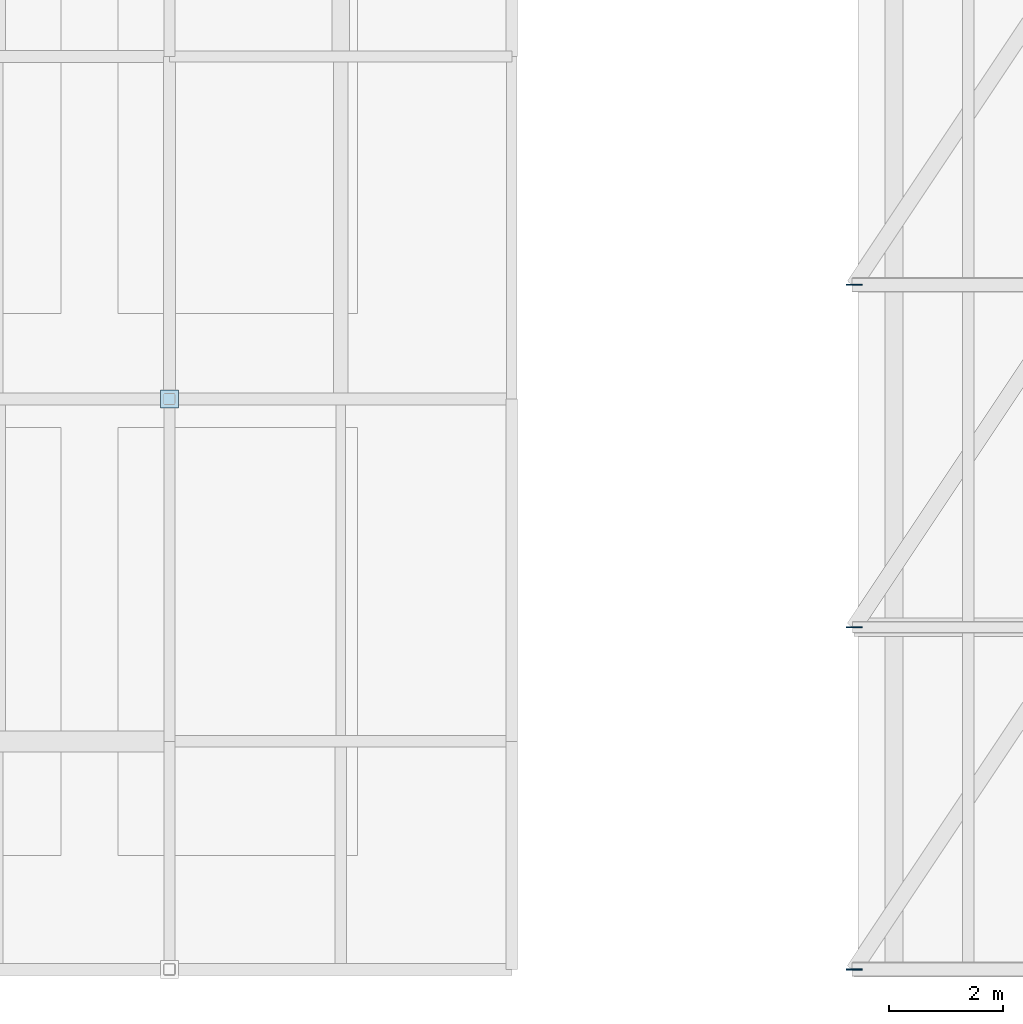
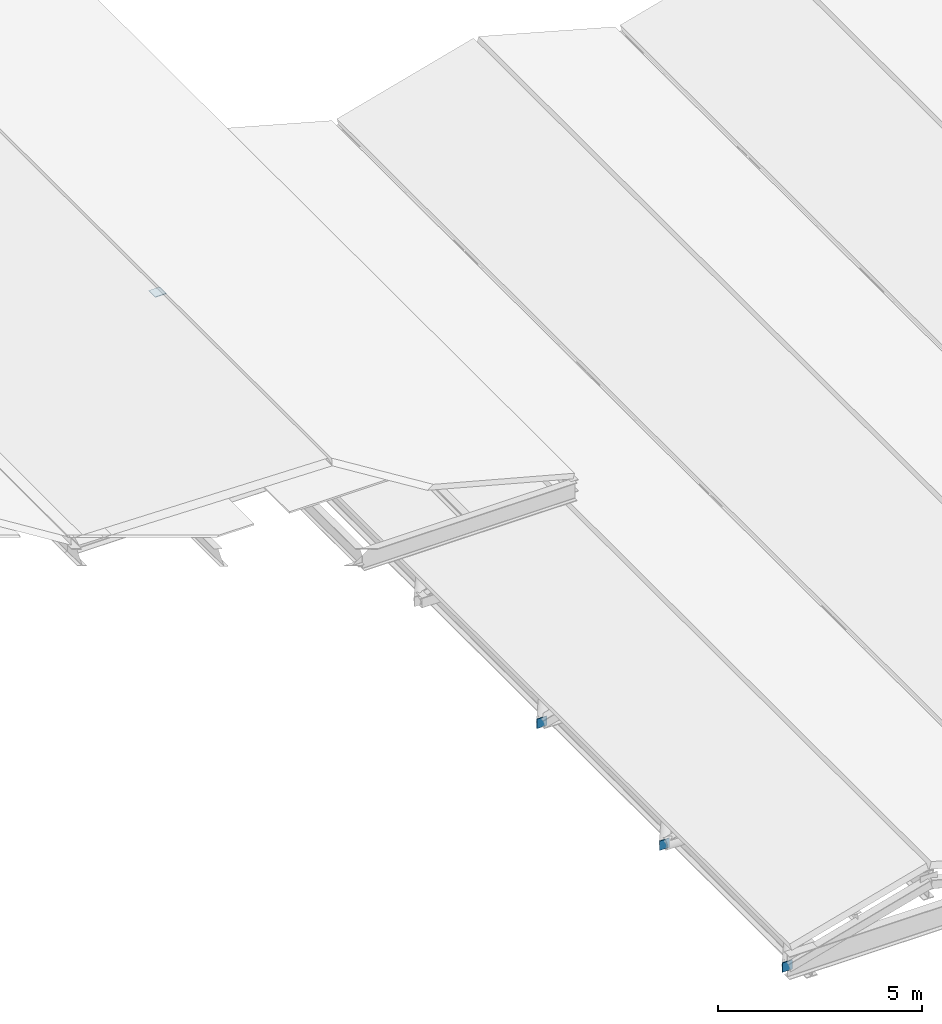
# One storey, part 9 of 27: 4 plates.
"""IFC4 building model written with IfcOpenShell, lengths in metres."""

from ifc_helpers import new_model, si_unit, direction, frame, origin, origin_2d, place, context, subcontext, project, spatial, rectangle, extrude, material, layer, layer_set, type_object, element, save


model = new_model("IFC4")

# Units and contexts
model_context = context("Model", 3, precision=1e-05, world=origin(), true_north=direction((0.0, 1.0)))
body_context = subcontext(model_context, "Body", "Model", "MODEL_VIEW")
ifc_project = project(units=[si_unit("LENGTHUNIT", "METRE"), si_unit("AREAUNIT", "SQUARE_METRE"), si_unit("VOLUMEUNIT", "CUBIC_METRE"), si_unit("PLANEANGLEUNIT", "RADIAN"), si_unit("MASSUNIT", "GRAM", prefix="KILO")], contexts=[model_context])

# Site, building, storey
site_placement = place(None, origin())
site = spatial("IfcSite", under=ifc_project, at=site_placement, CompositionType="ELEMENT")
building_placement = place(site_placement, origin())
building = spatial("IfcBuilding", under=site, at=building_placement, Name="Verrall Gate Interchange", CompositionType="ELEMENT")
storey_placement = place(building_placement, frame((0.0, 0.0, 32.800048828125)))
storey = spatial("IfcBuildingStorey", under=building, at=storey_placement, Name="RF", CompositionType="ELEMENT", Elevation=32.800048828125)

# Plates
ifc_material = material(Name="Structural Steel CSA G40.21 350WT Cat 4", Category="steel")
ifc_layer = layer(ifc_material, 0.02001953125)
ifc_layer_set = layer_set([ifc_layer], Name="Structural Steel CSA G40.21 350WT Cat 4")
plate_type = type_object("IfcPlateType", Name="GP-01 Gusset Plate 20", PredefinedType="SHEET", material=ifc_layer_set)
for number, where, z_axis, x_axis, name in (
    (1, (36.0, 12.0, -16.9482421875), (0.0, 0.0, 1.0), (1.0, 0.0, 0.0), "Folded-Plate Valley Gusset Node KN-V1-0-0"),
    (2, (36.0, 18.0, -16.9482421875), (0.0, 0.0, 1.0), (1.0, 0.0, 0.0), "Folded-Plate Valley Gusset Node KN-V1-0-1"),
    (3, (36.0, 24.0, -16.9482421875), (0.0, 0.0, 1.0), (1.0, 0.0, 0.0), "Folded-Plate Valley Gusset Node KN-V1-0-2"),
):
    element("IfcPlate", number, at=place(storey_placement, frame(where, z_axis=z_axis, x_axis=x_axis)), inside=storey, type_object=plate_type, Name=name, PredefinedType="SHEET", context=body_context, shape_type="SweptSolid", body=[
        extrude(rectangle(XDim=0.280029296875, YDim=0.02001953125, at=origin_2d()), origin(), (0.0, 0.0, 1.0), 0.280029296875),
    ])
plate_placement = place(storey_placement, frame((24.0, 22.0, 1.429931640625), z_axis=(0.0, 0.0, 1.0), x_axis=(1.0, 0.0, 0.0)))
element("IfcPlate", 4, at=plate_placement, inside=storey, type_object=plate_type, Name="RF King-Post Cap Plate 006", PredefinedType="SHEET", context=body_context, shape_type="SweptSolid", body=[
    extrude(rectangle(XDim=0.320068359375, YDim=0.320068359375, at=origin_2d()), origin(), (0.0, 0.0, 1.0), 0.02001953125),
])

save(model, "model.ifc")
